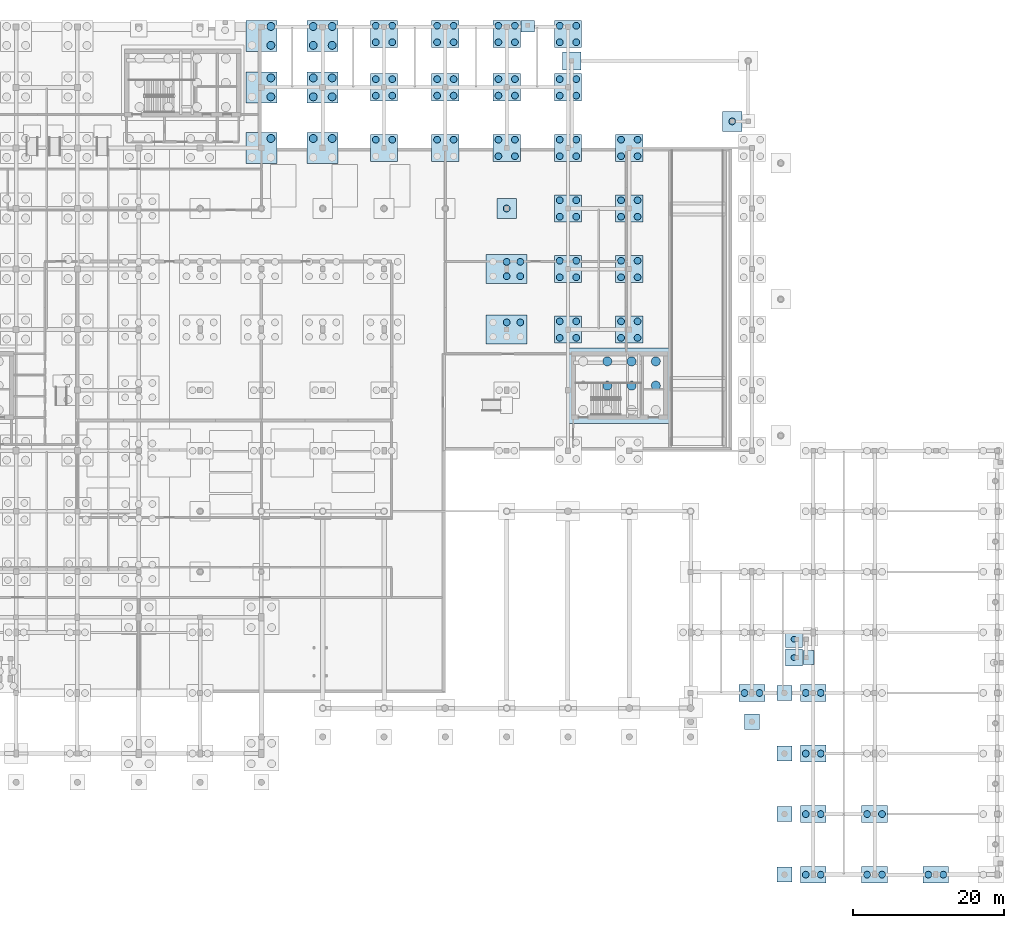
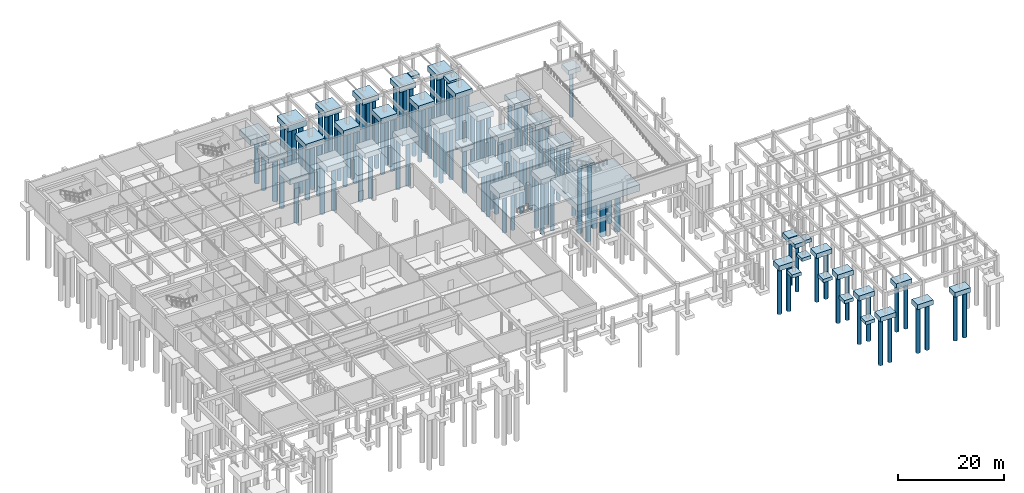
# One storey, part 5 of 25: 119 piles, 48 footings.
"""IFC4 building model written with IfcOpenShell, lengths in metres."""

from ifc_helpers import new_model, si_unit, direction, frame, origin, origin_2d, place, context, subcontext, project, spatial, polyline, rectangle, circle, outline, extrude, material, material_profile, profile_set, type_object, element, save


model = new_model("IFC4")

# Units and contexts
model_context = context("Model", 3, precision=1e-05, world=origin(), true_north=direction((0.0, 1.0)))
body_context = subcontext(model_context, "Body", "Model", "MODEL_VIEW")
ifc_project = project(units=[si_unit("LENGTHUNIT", "METRE"), si_unit("AREAUNIT", "SQUARE_METRE"), si_unit("VOLUMEUNIT", "CUBIC_METRE"), si_unit("PLANEANGLEUNIT", "RADIAN"), si_unit("MASSUNIT", "GRAM", prefix="KILO")], contexts=[model_context])

# Site, building, storey
site_placement = place(None, origin())
site = spatial("IfcSite", under=ifc_project, at=site_placement, CompositionType="ELEMENT")
building_placement = place(site_placement, origin())
building = spatial("IfcBuilding", under=site, at=building_placement, Name="Tarnveldt Square Police Headquarters", CompositionType="ELEMENT")
storey_placement = place(building_placement, frame((0.0, 0.0, -4.800048828125)))
storey = spatial("IfcBuildingStorey", under=building, at=storey_placement, Name="B1", CompositionType="ELEMENT", Elevation=-4.800048828125)

# Footings
ifc_material_1 = material(Name="Concrete 45 MPa", Category="concrete")
footing_type_1 = type_object("IfcFootingType", Name="CAP-PC1", PredefinedType="PILE_CAP", material=ifc_material_1)
for number, where, z_axis, x_axis, name in (
    (1, (135.14990234375, 28.679931640625, -1.0), (0.0, 0.0, 1.0), (1.0, 0.0, 0.0), "Caisson Pile Cap 146"),
    (2, (135.14990234375, 31.10009765625, -1.0), (0.0, 0.0, 1.0), (1.0, 0.0, 0.0), "Caisson Pile Cap 147"),
):
    element("IfcFooting", number, at=place(storey_placement, frame(where, z_axis=z_axis, x_axis=x_axis)), inside=storey, type_object=footing_type_1, Name=name, PredefinedType="PILE_CAP", context=body_context, shape_type="SweptSolid", body=[
        extrude(rectangle(XDim=2.199951171875, YDim=2.199951171875, at=origin_2d()), origin(), (0.0, 0.0, 1.0), 1.0),
    ])
footing_type_2 = type_object("IfcFootingType", Name="CAP-PC2", PredefinedType="PILE_CAP", material=ifc_material_1)
for number, where, z_axis, x_axis, name in (
    (3, (129.60009765625, 24.0, -1.10009765625), (0.0, 0.0, 1.0), (1.0, 0.0, 0.0), "Caisson Pile Cap 134"),
    (4, (137.699951171875, 0.0, -1.10009765625), (0.0, 0.0, 1.0), (1.0, 0.0, 0.0), "Caisson Pile Cap 148"),
    (5, (137.699951171875, 8.0, -1.10009765625), (0.0, 0.0, 1.0), (1.0, 0.0, 0.0), "Caisson Pile Cap 149"),
    (6, (137.699951171875, 16.0, -1.10009765625), (0.0, 0.0, 1.0), (1.0, 0.0, 0.0), "Caisson Pile Cap 150"),
    (7, (137.699951171875, 24.0, -1.10009765625), (0.0, 0.0, 1.0), (1.0, 0.0, 0.0), "Caisson Pile Cap 151"),
    (8, (145.800048828125, 0.0, -1.10009765625), (0.0, 0.0, 1.0), (1.0, 0.0, 0.0), "Caisson Pile Cap 155"),
    (9, (145.800048828125, 8.0, -1.10009765625), (0.0, 0.0, 1.0), (1.0, 0.0, 0.0), "Caisson Pile Cap 156"),
    (10, (153.89990234375, 0.0, -1.10009765625), (0.0, 0.0, 1.0), (1.0, 0.0, 0.0), "Caisson Pile Cap 163"),
):
    element("IfcFooting", number, at=place(storey_placement, frame(where, z_axis=z_axis, x_axis=x_axis)), inside=storey, type_object=footing_type_2, Name=name, PredefinedType="PILE_CAP", context=body_context, shape_type="SweptSolid", body=[
        extrude(rectangle(XDim=3.39990234375, YDim=2.199951171875, at=origin_2d()), origin(), (0.0, 0.0, 1.0), 1.10009765625),
    ])
footing_type_3 = type_object("IfcFootingType", Name="CAP-PC3", PredefinedType="PILE_CAP", material=ifc_material_1)
for number, where, z_axis, x_axis, name in (
    (11, (81.0, 96.0, -1.52001953125), (0.0, 0.0, 1.0), (1.0, 0.0, 0.0), "Caisson Pile Cap 99"),
    (12, (81.0, 104.0, -1.19970703125), (0.0, 0.0, 1.0), (1.0, 0.0, 0.0), "Caisson Pile Cap 100"),
    (13, (81.0, 111.050048828125, -1.19970703125), (0.0, 0.0, 1.0), (1.0, 0.0, 0.0), "Caisson Pile Cap 101"),
    (14, (89.10009765625, 96.0, -1.52001953125), (0.0, 0.0, 1.0), (1.0, 0.0, 0.0), "Caisson Pile Cap 103"),
    (15, (89.10009765625, 104.0, -1.19970703125), (0.0, 0.0, 1.0), (1.0, 0.0, 0.0), "Caisson Pile Cap 104"),
    (16, (89.10009765625, 111.050048828125, -1.19970703125), (0.0, 0.0, 1.0), (1.0, 0.0, 0.0), "Caisson Pile Cap 105"),
    (17, (97.199951171875, 96.0, -1.52001953125), (0.0, 0.0, 1.0), (1.0, 0.0, 0.0), "Caisson Pile Cap 113"),
    (18, (97.199951171875, 104.0, -1.19970703125), (0.0, 0.0, 1.0), (1.0, 0.0, 0.0), "Caisson Pile Cap 114"),
    (19, (97.199951171875, 111.050048828125, -1.19970703125), (0.0, 0.0, 1.0), (1.0, 0.0, 0.0), "Caisson Pile Cap 115"),
    (20, (105.300048828125, 72.0, -1.52001953125), (0.0, 0.0, 1.0), (1.0, 0.0, 0.0), "Caisson Pile Cap 118"),
    (21, (105.300048828125, 80.0, -1.52001953125), (0.0, 0.0, 1.0), (1.0, 0.0, 0.0), "Caisson Pile Cap 119"),
    (22, (105.300048828125, 88.0, -1.52001953125), (0.0, 0.0, 1.0), (1.0, 0.0, 0.0), "Caisson Pile Cap 120"),
    (23, (105.300048828125, 96.0, -1.52001953125), (0.0, 0.0, 1.0), (1.0, 0.0, 0.0), "Caisson Pile Cap 121"),
    (24, (105.300048828125, 104.0, -1.19970703125), (0.0, 0.0, 1.0), (1.0, 0.0, 0.0), "Caisson Pile Cap 122"),
    (25, (105.300048828125, 111.050048828125, -1.19970703125), (0.0, 0.0, 1.0), (1.0, 0.0, 0.0), "Caisson Pile Cap 123"),
    (26, (113.39990234375, 72.0, -1.52001953125), (0.0, 0.0, 1.0), (1.0, 0.0, 0.0), "Caisson Pile Cap 126"),
    (27, (113.39990234375, 80.0, -1.52001953125), (0.0, 0.0, 1.0), (1.0, 0.0, 0.0), "Caisson Pile Cap 127"),
    (28, (113.39990234375, 88.0, -1.52001953125), (0.0, 0.0, 1.0), (1.0, 0.0, 0.0), "Caisson Pile Cap 128"),
    (29, (113.39990234375, 96.0, -1.52001953125), (0.0, 0.0, 1.0), (1.0, 0.0, 0.0), "Caisson Pile Cap 129"),
):
    element("IfcFooting", number, at=place(storey_placement, frame(where, z_axis=z_axis, x_axis=x_axis)), inside=storey, type_object=footing_type_3, Name=name, PredefinedType="PILE_CAP", context=body_context, shape_type="SweptSolid", body=[
        extrude(rectangle(XDim=3.60009765625, YDim=3.60009765625, at=origin_2d()), origin(), (0.0, 0.0, 1.0), 1.199951171875),
    ])
footing_type_4 = type_object("IfcFootingType", Name="CAP-PC4", PredefinedType="PILE_CAP", material=ifc_material_1)
for number, where, z_axis, x_axis, name in (
    (30, (64.800048828125, 96.0, -1.6201171875), (0.0, 0.0, 1.0), (1.0, 0.0, 0.0), "Caisson Pile Cap 79"),
    (31, (64.800048828125, 104.0, -1.6201171875), (0.0, 0.0, 1.0), (1.0, 0.0, 0.0), "Caisson Pile Cap 80"),
    (32, (64.800048828125, 110.800048828125, -1.6201171875), (0.0, 0.0, 1.0), (1.0, 0.0, 0.0), "Caisson Pile Cap 81"),
    (33, (72.89990234375, 96.0, -1.6201171875), (0.0, 0.0, 1.0), (1.0, 0.0, 0.0), "Caisson Pile Cap 89"),
    (34, (72.89990234375, 104.0, -1.2998046875), (0.0, 0.0, 1.0), (1.0, 0.0, 0.0), "Caisson Pile Cap 90"),
    (35, (72.89990234375, 110.800048828125, -1.2998046875), (0.0, 0.0, 1.0), (1.0, 0.0, 0.0), "Caisson Pile Cap 91"),
):
    element("IfcFooting", number, at=place(storey_placement, frame(where, z_axis=z_axis, x_axis=x_axis)), inside=storey, type_object=footing_type_4, Name=name, PredefinedType="PILE_CAP", context=body_context, shape_type="SweptSolid", body=[
        extrude(rectangle(XDim=4.10009765625, YDim=4.10009765625, at=origin_2d()), origin(), (0.0, 0.0, 1.0), 1.300048828125),
    ])
footing_type_5 = type_object("IfcFootingType", Name="CAP-PC6", PredefinedType="PILE_CAP", material=ifc_material_1)
for number, where, z_axis, x_axis, name in (
    (36, (97.199951171875, 72.0, -1.669921875), (0.0, 0.0, 1.0), (1.0, 0.0, 0.0), "Caisson Pile Cap 110"),
    (37, (97.199951171875, 80.0, -1.669921875), (0.0, 0.0, 1.0), (1.0, 0.0, 0.0), "Caisson Pile Cap 111"),
):
    element("IfcFooting", number, at=place(storey_placement, frame(where, z_axis=z_axis, x_axis=x_axis)), inside=storey, type_object=footing_type_5, Name=name, PredefinedType="PILE_CAP", context=body_context, shape_type="SweptSolid", body=[
        extrude(rectangle(XDim=5.39990234375, YDim=3.800048828125, at=origin_2d()), origin(), (0.0, 0.0, 1.0), 1.35009765625),
    ])
footing_type_6 = type_object("IfcFootingType", Name="CAP-PC8", PredefinedType="PILE_CAP", material=ifc_material_1)
footing_1_placement = place(storey_placement, frame((112.10009765625, 64.60009765625, -1.820068359375), z_axis=(0.0, 0.0, 1.0), x_axis=(1.0, 0.0, 0.0)))
element("IfcFooting", 38, at=footing_1_placement, inside=storey, type_object=footing_type_6, Name="Core K4 East Custody and Tactical Core Mat Pile Cap", PredefinedType="PILE_CAP", context=body_context, shape_type="SweptSolid", body=[
    extrude(rectangle(XDim=13.60009765625, YDim=10.0, at=origin_2d()), origin(), (0.0, 0.0, 1.0), 1.5),
])
footing_type_7 = type_object("IfcFootingType", Name="CAP-PC9", PredefinedType="PILE_CAP", material=ifc_material_1)
for number, where, z_axis, x_axis, name in (
    (39, (97.199951171875, 88.0, -1.3701171875), (0.0, 0.0, 1.0), (1.0, 0.0, 0.0), "Caisson Pile Cap 112"),
    (40, (127.0, 99.5, -1.0498046875), (0.0, 0.0, 1.0), (1.0, 0.0, 0.0), "Caisson Pile Cap 132"),
):
    element("IfcFooting", number, at=place(storey_placement, frame(where, z_axis=z_axis, x_axis=x_axis)), inside=storey, type_object=footing_type_7, Name=name, PredefinedType="PILE_CAP", context=body_context, shape_type="SweptSolid", body=[
        extrude(rectangle(XDim=2.60009765625, YDim=2.60009765625, at=origin_2d()), origin(), (0.0, 0.0, 1.0), 1.050048828125),
    ])
ifc_material_2 = material(Name="Concrete 40 MPa", Category="concrete")
footing_type_8 = type_object("IfcFootingType", Name="PAD-PF1", PredefinedType="PAD_FOOTING", material=ifc_material_2)
footing_2_placement = place(storey_placement, frame((105.800048828125, 107.5, -0.85009765625), z_axis=(0.0, 0.0, 1.0), x_axis=(1.0, 0.0, 0.0)))
element("IfcFooting", 41, at=footing_2_placement, inside=storey, type_object=footing_type_8, Name="Spread Pad Footing 10", PredefinedType="PAD_FOOTING", context=body_context, shape_type="SweptSolid", body=[
    extrude(rectangle(XDim=2.39990234375, YDim=2.39990234375, at=origin_2d()), origin(), (0.0, 0.0, 1.0), 0.85009765625),
])
footing_type_9 = type_object("IfcFootingType", Name="PAD-PF4", PredefinedType="PAD_FOOTING", material=ifc_material_2)
footing_3_placement = place(storey_placement, frame((0.0, 0.0, -0.75)))
element("IfcFooting", 42, at=footing_3_placement, inside=storey, type_object=footing_type_9, Name="Spread Pad Footing 8", PredefinedType="PAD_FOOTING", context=body_context, shape_type="SweptSolid", body=[
    extrude(outline(polyline([(99.10009765625, 111.300048828125), (100.89990234375, 111.300048828125), (100.89990234375, 112.85009765625), (99.10009765625, 112.85009765625), (99.10009765625, 111.300048828125)])), origin(), (0.0, 0.0, 1.0), 0.75),
])
footing_4_placement = place(storey_placement, frame((0.0, 0.0, -0.75)))
element("IfcFooting", 43, at=footing_4_placement, inside=storey, type_object=footing_type_9, Name="Spread Pad Footing 16", PredefinedType="PAD_FOOTING", context=body_context, shape_type="SweptSolid", body=[
    extrude(outline(polyline([(136.320068359375, 27.780029296875), (137.800048828125, 27.780029296875), (137.800048828125, 29.580078125), (136.320068359375, 29.580078125), (136.320068359375, 27.780029296875)])), origin(), (0.0, 0.0, 1.0), 0.75),
])
for number, where, z_axis, x_axis, name in (
    (44, (129.60009765625, 20.199951171875, -0.75), (0.0, 0.0, 1.0), (1.0, 0.0, 0.0), "Colonnade Pier Footing 17"),
    (45, (133.89990234375, 0.0, -0.75), (0.0, 0.0, 1.0), (1.0, 0.0, 0.0), "Colonnade Pier Footing 18"),
    (46, (133.89990234375, 8.0, -0.75), (0.0, 0.0, 1.0), (1.0, 0.0, 0.0), "Colonnade Pier Footing 19"),
    (47, (133.89990234375, 16.0, -0.75), (0.0, 0.0, 1.0), (1.0, 0.0, 0.0), "Colonnade Pier Footing 20"),
    (48, (133.89990234375, 24.0, -0.75), (0.0, 0.0, 1.0), (1.0, 0.0, 0.0), "Colonnade Pier Footing 21"),
):
    element("IfcFooting", number, at=place(storey_placement, frame(where, z_axis=z_axis, x_axis=x_axis)), inside=storey, type_object=footing_type_9, Name=name, PredefinedType="PAD_FOOTING", context=body_context, shape_type="SweptSolid", body=[
        extrude(rectangle(XDim=2.0, YDim=2.0, at=origin_2d()), origin(), (0.0, 0.0, 1.0), 0.75),
    ])

# Piles
ifc_material_profile_1 = material_profile(ifc_material_1, circle(Radius=0.375, at=origin_2d()), Name="CAISSON-D750")
ifc_profile_set_1 = profile_set([ifc_material_profile_1], Name="Concrete 45 MPa")
pile_type_1 = type_object("IfcPileType", Name="PILE-CA1", PredefinedType="BORED", material=ifc_profile_set_1)
for number, where, z_axis, x_axis, name in (
    (49, (135.14990234375, 28.679931640625, -0.89990234375), (0.0, 0.0, -1.0), (1.0, 0.0, 0.0), "Bored Caisson C146.1"),
    (50, (135.14990234375, 31.10009765625, -0.89990234375), (0.0, 0.0, -1.0), (1.0, 0.0, 0.0), "Bored Caisson C147.1"),
):
    element("IfcPile", number, at=place(storey_placement, frame(where, z_axis=z_axis, x_axis=x_axis)), inside=storey, type_object=pile_type_1, Name=name, PredefinedType="BORED", context=body_context, shape_type="SweptSolid", body=[
        extrude(circle(Radius=0.375, at=origin_2d()), origin(), (0.0, 0.0, 1.0), 10.800048828125),
    ])
ifc_material_profile_2 = material_profile(ifc_material_1, circle(Radius=0.449951171875, at=origin_2d()), Name="CAISSON-D900")
ifc_profile_set_2 = profile_set([ifc_material_profile_2], Name="Concrete 45 MPa")
pile_type_2 = type_object("IfcPileType", Name="PILE-CA2", PredefinedType="BORED", material=ifc_profile_set_2)
for number, where, z_axis, x_axis, name in (
    (51, (79.909912109375, 97.090087890625, -1.419921875), (0.0, 0.0, -1.0), (1.0, 0.0, 0.0), "Bored Caisson C99.2"),
    (52, (82.090087890625, 97.090087890625, -1.419921875), (0.0, 0.0, -1.0), (1.0, 0.0, 0.0), "Bored Caisson C99.4"),
):
    element("IfcPile", number, at=place(storey_placement, frame(where, z_axis=z_axis, x_axis=x_axis)), inside=storey, type_object=pile_type_2, Name=name, PredefinedType="BORED", context=body_context, shape_type="SweptSolid", body=[
        extrude(circle(Radius=0.449951171875, at=origin_2d()), origin(), (0.0, 0.0, 1.0), 11.780029296875),
    ])
for number, where, z_axis, x_axis, name in (
    (53, (79.909912109375, 102.909912109375, -1.099853515625), (0.0, 0.0, -1.0), (1.0, 0.0, 0.0), "Bored Caisson C100.1"),
    (54, (79.909912109375, 105.090087890625, -1.099853515625), (0.0, 0.0, -1.0), (1.0, 0.0, 0.0), "Bored Caisson C100.2"),
    (55, (82.090087890625, 102.909912109375, -1.099853515625), (0.0, 0.0, -1.0), (1.0, 0.0, 0.0), "Bored Caisson C100.3"),
    (56, (82.090087890625, 105.090087890625, -1.099853515625), (0.0, 0.0, -1.0), (1.0, 0.0, 0.0), "Bored Caisson C100.4"),
    (57, (79.909912109375, 109.9599609375, -1.099853515625), (0.0, 0.0, -1.0), (1.0, 0.0, 0.0), "Bored Caisson C101.1"),
    (58, (79.909912109375, 112.139892578125, -1.099853515625), (0.0, 0.0, -1.0), (1.0, 0.0, 0.0), "Bored Caisson C101.2"),
    (59, (82.090087890625, 109.9599609375, -1.099853515625), (0.0, 0.0, -1.0), (1.0, 0.0, 0.0), "Bored Caisson C101.3"),
    (60, (82.090087890625, 112.139892578125, -1.099853515625), (0.0, 0.0, -1.0), (1.0, 0.0, 0.0), "Bored Caisson C101.4"),
):
    element("IfcPile", number, at=place(storey_placement, frame(where, z_axis=z_axis, x_axis=x_axis)), inside=storey, type_object=pile_type_2, Name=name, PredefinedType="BORED", context=body_context, shape_type="SweptSolid", body=[
        extrude(circle(Radius=0.449951171875, at=origin_2d()), origin(), (0.0, 0.0, 1.0), 12.10009765625),
    ])
for number, where, z_axis, x_axis, name in (
    (61, (88.010009765625, 97.090087890625, -1.419921875), (0.0, 0.0, -1.0), (1.0, 0.0, 0.0), "Bored Caisson C103.2"),
    (62, (90.18994140625, 97.090087890625, -1.419921875), (0.0, 0.0, -1.0), (1.0, 0.0, 0.0), "Bored Caisson C103.4"),
):
    element("IfcPile", number, at=place(storey_placement, frame(where, z_axis=z_axis, x_axis=x_axis)), inside=storey, type_object=pile_type_2, Name=name, PredefinedType="BORED", context=body_context, shape_type="SweptSolid", body=[
        extrude(circle(Radius=0.449951171875, at=origin_2d()), origin(), (0.0, 0.0, 1.0), 11.780029296875),
    ])
for number, where, z_axis, x_axis, name in (
    (63, (88.010009765625, 102.909912109375, -1.099853515625), (0.0, 0.0, -1.0), (1.0, 0.0, 0.0), "Bored Caisson C104.1"),
    (64, (88.010009765625, 105.090087890625, -1.099853515625), (0.0, 0.0, -1.0), (1.0, 0.0, 0.0), "Bored Caisson C104.2"),
    (65, (90.18994140625, 102.909912109375, -1.099853515625), (0.0, 0.0, -1.0), (1.0, 0.0, 0.0), "Bored Caisson C104.3"),
    (66, (90.18994140625, 105.090087890625, -1.099853515625), (0.0, 0.0, -1.0), (1.0, 0.0, 0.0), "Bored Caisson C104.4"),
    (67, (88.010009765625, 109.9599609375, -1.099853515625), (0.0, 0.0, -1.0), (1.0, 0.0, 0.0), "Bored Caisson C105.1"),
    (68, (88.010009765625, 112.139892578125, -1.099853515625), (0.0, 0.0, -1.0), (1.0, 0.0, 0.0), "Bored Caisson C105.2"),
    (69, (90.18994140625, 109.9599609375, -1.099853515625), (0.0, 0.0, -1.0), (1.0, 0.0, 0.0), "Bored Caisson C105.3"),
    (70, (90.18994140625, 112.139892578125, -1.099853515625), (0.0, 0.0, -1.0), (1.0, 0.0, 0.0), "Bored Caisson C105.4"),
):
    element("IfcPile", number, at=place(storey_placement, frame(where, z_axis=z_axis, x_axis=x_axis)), inside=storey, type_object=pile_type_2, Name=name, PredefinedType="BORED", context=body_context, shape_type="SweptSolid", body=[
        extrude(circle(Radius=0.449951171875, at=origin_2d()), origin(), (0.0, 0.0, 1.0), 12.10009765625),
    ])
for number, where, z_axis, x_axis, name in (
    (71, (97.199951171875, 72.949951171875, -1.570068359375), (0.0, 0.0, -1.0), (1.0, 0.0, 0.0), "Bored Caisson C110.5"),
    (72, (99.0, 72.949951171875, -1.570068359375), (0.0, 0.0, -1.0), (1.0, 0.0, 0.0), "Bored Caisson C110.6"),
    (73, (97.199951171875, 79.050048828125, -1.570068359375), (0.0, 0.0, -1.0), (1.0, 0.0, 0.0), "Bored Caisson C111.2"),
    (74, (99.0, 79.050048828125, -1.570068359375), (0.0, 0.0, -1.0), (1.0, 0.0, 0.0), "Bored Caisson C111.3"),
    (75, (97.199951171875, 80.949951171875, -1.570068359375), (0.0, 0.0, -1.0), (1.0, 0.0, 0.0), "Bored Caisson C111.5"),
    (76, (99.0, 80.949951171875, -1.570068359375), (0.0, 0.0, -1.0), (1.0, 0.0, 0.0), "Bored Caisson C111.6"),
):
    element("IfcPile", number, at=place(storey_placement, frame(where, z_axis=z_axis, x_axis=x_axis)), inside=storey, type_object=pile_type_2, Name=name, PredefinedType="BORED", context=body_context, shape_type="SweptSolid", body=[
        extrude(circle(Radius=0.449951171875, at=origin_2d()), origin(), (0.0, 0.0, 1.0), 10.1298828125),
    ])
pile_1_placement = place(storey_placement, frame((97.199951171875, 88.0, -1.27001953125), z_axis=(0.0, 0.0, -1.0), x_axis=(1.0, 0.0, 0.0)))
element("IfcPile", 77, at=pile_1_placement, inside=storey, type_object=pile_type_2, Name="Bored Caisson C112.1", PredefinedType="BORED", context=body_context, shape_type="SweptSolid", body=[
    extrude(circle(Radius=0.449951171875, at=origin_2d()), origin(), (0.0, 0.0, 1.0), 10.429931640625),
])
for number, where, z_axis, x_axis, name in (
    (78, (96.110107421875, 94.909912109375, -1.419921875), (0.0, 0.0, -1.0), (1.0, 0.0, 0.0), "Bored Caisson C113.1"),
    (79, (96.110107421875, 97.090087890625, -1.419921875), (0.0, 0.0, -1.0), (1.0, 0.0, 0.0), "Bored Caisson C113.2"),
    (80, (98.2900390625, 94.909912109375, -1.419921875), (0.0, 0.0, -1.0), (1.0, 0.0, 0.0), "Bored Caisson C113.3"),
    (81, (98.2900390625, 97.090087890625, -1.419921875), (0.0, 0.0, -1.0), (1.0, 0.0, 0.0), "Bored Caisson C113.4"),
):
    element("IfcPile", number, at=place(storey_placement, frame(where, z_axis=z_axis, x_axis=x_axis)), inside=storey, type_object=pile_type_2, Name=name, PredefinedType="BORED", context=body_context, shape_type="SweptSolid", body=[
        extrude(circle(Radius=0.449951171875, at=origin_2d()), origin(), (0.0, 0.0, 1.0), 11.780029296875),
    ])
for number, where, z_axis, x_axis, name in (
    (82, (96.110107421875, 102.909912109375, -1.099853515625), (0.0, 0.0, -1.0), (1.0, 0.0, 0.0), "Bored Caisson C114.1"),
    (83, (96.110107421875, 105.090087890625, -1.099853515625), (0.0, 0.0, -1.0), (1.0, 0.0, 0.0), "Bored Caisson C114.2"),
    (84, (98.2900390625, 102.909912109375, -1.099853515625), (0.0, 0.0, -1.0), (1.0, 0.0, 0.0), "Bored Caisson C114.3"),
    (85, (98.2900390625, 105.090087890625, -1.099853515625), (0.0, 0.0, -1.0), (1.0, 0.0, 0.0), "Bored Caisson C114.4"),
    (86, (96.110107421875, 109.9599609375, -1.099853515625), (0.0, 0.0, -1.0), (1.0, 0.0, 0.0), "Bored Caisson C115.1"),
    (87, (96.110107421875, 112.139892578125, -1.099853515625), (0.0, 0.0, -1.0), (1.0, 0.0, 0.0), "Bored Caisson C115.2"),
    (88, (98.2900390625, 109.9599609375, -1.099853515625), (0.0, 0.0, -1.0), (1.0, 0.0, 0.0), "Bored Caisson C115.3"),
    (89, (98.2900390625, 112.139892578125, -1.099853515625), (0.0, 0.0, -1.0), (1.0, 0.0, 0.0), "Bored Caisson C115.4"),
):
    element("IfcPile", number, at=place(storey_placement, frame(where, z_axis=z_axis, x_axis=x_axis)), inside=storey, type_object=pile_type_2, Name=name, PredefinedType="BORED", context=body_context, shape_type="SweptSolid", body=[
        extrude(circle(Radius=0.449951171875, at=origin_2d()), origin(), (0.0, 0.0, 1.0), 12.10009765625),
    ])
for number, where, z_axis, x_axis, name in (
    (90, (104.2099609375, 70.909912109375, -1.419921875), (0.0, 0.0, -1.0), (1.0, 0.0, 0.0), "Bored Caisson C118.1"),
    (91, (104.2099609375, 73.090087890625, -1.419921875), (0.0, 0.0, -1.0), (1.0, 0.0, 0.0), "Bored Caisson C118.2"),
    (92, (106.389892578125, 70.909912109375, -1.419921875), (0.0, 0.0, -1.0), (1.0, 0.0, 0.0), "Bored Caisson C118.3"),
    (93, (106.389892578125, 73.090087890625, -1.419921875), (0.0, 0.0, -1.0), (1.0, 0.0, 0.0), "Bored Caisson C118.4"),
    (94, (104.2099609375, 78.909912109375, -1.419921875), (0.0, 0.0, -1.0), (1.0, 0.0, 0.0), "Bored Caisson C119.1"),
    (95, (104.2099609375, 81.090087890625, -1.419921875), (0.0, 0.0, -1.0), (1.0, 0.0, 0.0), "Bored Caisson C119.2"),
    (96, (106.389892578125, 78.909912109375, -1.419921875), (0.0, 0.0, -1.0), (1.0, 0.0, 0.0), "Bored Caisson C119.3"),
    (97, (106.389892578125, 81.090087890625, -1.419921875), (0.0, 0.0, -1.0), (1.0, 0.0, 0.0), "Bored Caisson C119.4"),
    (98, (104.2099609375, 86.909912109375, -1.419921875), (0.0, 0.0, -1.0), (1.0, 0.0, 0.0), "Bored Caisson C120.1"),
    (99, (104.2099609375, 89.090087890625, -1.419921875), (0.0, 0.0, -1.0), (1.0, 0.0, 0.0), "Bored Caisson C120.2"),
    (100, (106.389892578125, 86.909912109375, -1.419921875), (0.0, 0.0, -1.0), (1.0, 0.0, 0.0), "Bored Caisson C120.3"),
    (101, (106.389892578125, 89.090087890625, -1.419921875), (0.0, 0.0, -1.0), (1.0, 0.0, 0.0), "Bored Caisson C120.4"),
    (102, (104.2099609375, 94.909912109375, -1.419921875), (0.0, 0.0, -1.0), (1.0, 0.0, 0.0), "Bored Caisson C121.1"),
    (103, (104.2099609375, 97.090087890625, -1.419921875), (0.0, 0.0, -1.0), (1.0, 0.0, 0.0), "Bored Caisson C121.2"),
    (104, (106.389892578125, 94.909912109375, -1.419921875), (0.0, 0.0, -1.0), (1.0, 0.0, 0.0), "Bored Caisson C121.3"),
    (105, (106.389892578125, 97.090087890625, -1.419921875), (0.0, 0.0, -1.0), (1.0, 0.0, 0.0), "Bored Caisson C121.4"),
):
    element("IfcPile", number, at=place(storey_placement, frame(where, z_axis=z_axis, x_axis=x_axis)), inside=storey, type_object=pile_type_2, Name=name, PredefinedType="BORED", context=body_context, shape_type="SweptSolid", body=[
        extrude(circle(Radius=0.449951171875, at=origin_2d()), origin(), (0.0, 0.0, 1.0), 11.780029296875),
    ])
for number, where, z_axis, x_axis, name in (
    (106, (104.2099609375, 102.909912109375, -1.099853515625), (0.0, 0.0, -1.0), (1.0, 0.0, 0.0), "Bored Caisson C122.1"),
    (107, (104.2099609375, 105.090087890625, -1.099853515625), (0.0, 0.0, -1.0), (1.0, 0.0, 0.0), "Bored Caisson C122.2"),
    (108, (106.389892578125, 102.909912109375, -1.099853515625), (0.0, 0.0, -1.0), (1.0, 0.0, 0.0), "Bored Caisson C122.3"),
    (109, (106.389892578125, 105.090087890625, -1.099853515625), (0.0, 0.0, -1.0), (1.0, 0.0, 0.0), "Bored Caisson C122.4"),
    (110, (104.2099609375, 109.9599609375, -1.099853515625), (0.0, 0.0, -1.0), (1.0, 0.0, 0.0), "Bored Caisson C123.1"),
    (111, (104.2099609375, 112.139892578125, -1.099853515625), (0.0, 0.0, -1.0), (1.0, 0.0, 0.0), "Bored Caisson C123.2"),
    (112, (106.389892578125, 109.9599609375, -1.099853515625), (0.0, 0.0, -1.0), (1.0, 0.0, 0.0), "Bored Caisson C123.3"),
    (113, (106.389892578125, 112.139892578125, -1.099853515625), (0.0, 0.0, -1.0), (1.0, 0.0, 0.0), "Bored Caisson C123.4"),
):
    element("IfcPile", number, at=place(storey_placement, frame(where, z_axis=z_axis, x_axis=x_axis)), inside=storey, type_object=pile_type_2, Name=name, PredefinedType="BORED", context=body_context, shape_type="SweptSolid", body=[
        extrude(circle(Radius=0.449951171875, at=origin_2d()), origin(), (0.0, 0.0, 1.0), 12.10009765625),
    ])
for number, where, z_axis, x_axis, name in (
    (114, (112.31005859375, 70.909912109375, -1.419921875), (0.0, 0.0, -1.0), (1.0, 0.0, 0.0), "Bored Caisson C126.1"),
    (115, (112.31005859375, 73.090087890625, -1.419921875), (0.0, 0.0, -1.0), (1.0, 0.0, 0.0), "Bored Caisson C126.2"),
    (116, (114.489990234375, 70.909912109375, -1.419921875), (0.0, 0.0, -1.0), (1.0, 0.0, 0.0), "Bored Caisson C126.3"),
    (117, (114.489990234375, 73.090087890625, -1.419921875), (0.0, 0.0, -1.0), (1.0, 0.0, 0.0), "Bored Caisson C126.4"),
    (118, (112.31005859375, 78.909912109375, -1.419921875), (0.0, 0.0, -1.0), (1.0, 0.0, 0.0), "Bored Caisson C127.1"),
    (119, (112.31005859375, 81.090087890625, -1.419921875), (0.0, 0.0, -1.0), (1.0, 0.0, 0.0), "Bored Caisson C127.2"),
    (120, (114.489990234375, 78.909912109375, -1.419921875), (0.0, 0.0, -1.0), (1.0, 0.0, 0.0), "Bored Caisson C127.3"),
    (121, (114.489990234375, 81.090087890625, -1.419921875), (0.0, 0.0, -1.0), (1.0, 0.0, 0.0), "Bored Caisson C127.4"),
    (122, (112.31005859375, 86.909912109375, -1.419921875), (0.0, 0.0, -1.0), (1.0, 0.0, 0.0), "Bored Caisson C128.1"),
    (123, (112.31005859375, 89.090087890625, -1.419921875), (0.0, 0.0, -1.0), (1.0, 0.0, 0.0), "Bored Caisson C128.2"),
    (124, (114.489990234375, 86.909912109375, -1.419921875), (0.0, 0.0, -1.0), (1.0, 0.0, 0.0), "Bored Caisson C128.3"),
    (125, (114.489990234375, 89.090087890625, -1.419921875), (0.0, 0.0, -1.0), (1.0, 0.0, 0.0), "Bored Caisson C128.4"),
    (126, (112.31005859375, 94.909912109375, -1.419921875), (0.0, 0.0, -1.0), (1.0, 0.0, 0.0), "Bored Caisson C129.1"),
    (127, (112.31005859375, 97.090087890625, -1.419921875), (0.0, 0.0, -1.0), (1.0, 0.0, 0.0), "Bored Caisson C129.2"),
    (128, (114.489990234375, 94.909912109375, -1.419921875), (0.0, 0.0, -1.0), (1.0, 0.0, 0.0), "Bored Caisson C129.3"),
    (129, (114.489990234375, 97.090087890625, -1.419921875), (0.0, 0.0, -1.0), (1.0, 0.0, 0.0), "Bored Caisson C129.4"),
):
    element("IfcPile", number, at=place(storey_placement, frame(where, z_axis=z_axis, x_axis=x_axis)), inside=storey, type_object=pile_type_2, Name=name, PredefinedType="BORED", context=body_context, shape_type="SweptSolid", body=[
        extrude(circle(Radius=0.449951171875, at=origin_2d()), origin(), (0.0, 0.0, 1.0), 11.780029296875),
    ])
pile_2_placement = place(storey_placement, frame((127.0, 99.5, -0.949951171875), z_axis=(0.0, 0.0, -1.0), x_axis=(1.0, 0.0, 0.0)))
element("IfcPile", 130, at=pile_2_placement, inside=storey, type_object=pile_type_2, Name="Bored Caisson C132.1", PredefinedType="BORED", context=body_context, shape_type="SweptSolid", body=[
    extrude(circle(Radius=0.449951171875, at=origin_2d()), origin(), (0.0, 0.0, 1.0), 10.75),
])
for number, where, z_axis, x_axis, name in (
    (131, (128.610107421875, 24.0, -1.0), (0.0, 0.0, -1.0), (1.0, 0.0, 0.0), "Bored Caisson C134.1"),
    (132, (130.590087890625, 24.0, -1.0), (0.0, 0.0, -1.0), (1.0, 0.0, 0.0), "Bored Caisson C134.2"),
    (133, (136.7099609375, 0.0, -1.0), (0.0, 0.0, -1.0), (1.0, 0.0, 0.0), "Bored Caisson C148.1"),
    (134, (138.68994140625, 0.0, -1.0), (0.0, 0.0, -1.0), (1.0, 0.0, 0.0), "Bored Caisson C148.2"),
    (135, (136.7099609375, 8.0, -1.0), (0.0, 0.0, -1.0), (1.0, 0.0, 0.0), "Bored Caisson C149.1"),
    (136, (138.68994140625, 8.0, -1.0), (0.0, 0.0, -1.0), (1.0, 0.0, 0.0), "Bored Caisson C149.2"),
    (137, (136.7099609375, 16.0, -1.0), (0.0, 0.0, -1.0), (1.0, 0.0, 0.0), "Bored Caisson C150.1"),
    (138, (138.68994140625, 16.0, -1.0), (0.0, 0.0, -1.0), (1.0, 0.0, 0.0), "Bored Caisson C150.2"),
    (139, (136.7099609375, 24.0, -1.0), (0.0, 0.0, -1.0), (1.0, 0.0, 0.0), "Bored Caisson C151.1"),
    (140, (138.68994140625, 24.0, -1.0), (0.0, 0.0, -1.0), (1.0, 0.0, 0.0), "Bored Caisson C151.2"),
    (141, (144.81005859375, 0.0, -1.0), (0.0, 0.0, -1.0), (1.0, 0.0, 0.0), "Bored Caisson C155.1"),
    (142, (146.7900390625, 0.0, -1.0), (0.0, 0.0, -1.0), (1.0, 0.0, 0.0), "Bored Caisson C155.2"),
    (143, (144.81005859375, 8.0, -1.0), (0.0, 0.0, -1.0), (1.0, 0.0, 0.0), "Bored Caisson C156.1"),
    (144, (146.7900390625, 8.0, -1.0), (0.0, 0.0, -1.0), (1.0, 0.0, 0.0), "Bored Caisson C156.2"),
    (145, (152.909912109375, 0.0, -1.0), (0.0, 0.0, -1.0), (1.0, 0.0, 0.0), "Bored Caisson C163.1"),
    (146, (154.889892578125, 0.0, -1.0), (0.0, 0.0, -1.0), (1.0, 0.0, 0.0), "Bored Caisson C163.2"),
):
    element("IfcPile", number, at=place(storey_placement, frame(where, z_axis=z_axis, x_axis=x_axis)), inside=storey, type_object=pile_type_2, Name=name, PredefinedType="BORED", context=body_context, shape_type="SweptSolid", body=[
        extrude(circle(Radius=0.449951171875, at=origin_2d()), origin(), (0.0, 0.0, 1.0), 10.699951171875),
    ])
ifc_material_profile_3 = material_profile(ifc_material_1, circle(Radius=0.52490234375, at=origin_2d()), Name="CAISSON-D1050")
ifc_profile_set_3 = profile_set([ifc_material_profile_3], Name="Concrete 45 MPa")
pile_type_3 = type_object("IfcPileType", Name="PILE-CA3", PredefinedType="BORED", material=ifc_profile_set_3)
for number, where, z_axis, x_axis, name in (
    (147, (66.050048828125, 97.25, -1.52001953125), (0.0, 0.0, -1.0), (1.0, 0.0, 0.0), "Bored Caisson C79.4"),
    (148, (66.050048828125, 102.75, -1.52001953125), (0.0, 0.0, -1.0), (1.0, 0.0, 0.0), "Bored Caisson C80.3"),
    (149, (66.050048828125, 105.25, -1.52001953125), (0.0, 0.0, -1.0), (1.0, 0.0, 0.0), "Bored Caisson C80.4"),
    (150, (66.050048828125, 109.550048828125, -1.52001953125), (0.0, 0.0, -1.0), (1.0, 0.0, 0.0), "Bored Caisson C81.3"),
    (151, (66.050048828125, 112.050048828125, -1.52001953125), (0.0, 0.0, -1.0), (1.0, 0.0, 0.0), "Bored Caisson C81.4"),
    (152, (71.64990234375, 97.25, -1.52001953125), (0.0, 0.0, -1.0), (1.0, 0.0, 0.0), "Bored Caisson C89.2"),
    (153, (74.14990234375, 97.25, -1.52001953125), (0.0, 0.0, -1.0), (1.0, 0.0, 0.0), "Bored Caisson C89.4"),
):
    element("IfcPile", number, at=place(storey_placement, frame(where, z_axis=z_axis, x_axis=x_axis)), inside=storey, type_object=pile_type_3, Name=name, PredefinedType="BORED", context=body_context, shape_type="SweptSolid", body=[
        extrude(circle(Radius=0.52490234375, at=origin_2d()), origin(), (0.0, 0.0, 1.0), 11.679931640625),
    ])
for number, where, z_axis, x_axis, name in (
    (154, (71.64990234375, 102.75, -1.199951171875), (0.0, 0.0, -1.0), (1.0, 0.0, 0.0), "Bored Caisson C90.1"),
    (155, (71.64990234375, 105.25, -1.199951171875), (0.0, 0.0, -1.0), (1.0, 0.0, 0.0), "Bored Caisson C90.2"),
    (156, (74.14990234375, 102.75, -1.199951171875), (0.0, 0.0, -1.0), (1.0, 0.0, 0.0), "Bored Caisson C90.3"),
    (157, (74.14990234375, 105.25, -1.199951171875), (0.0, 0.0, -1.0), (1.0, 0.0, 0.0), "Bored Caisson C90.4"),
    (158, (71.64990234375, 109.550048828125, -1.199951171875), (0.0, 0.0, -1.0), (1.0, 0.0, 0.0), "Bored Caisson C91.1"),
    (159, (71.64990234375, 112.050048828125, -1.199951171875), (0.0, 0.0, -1.0), (1.0, 0.0, 0.0), "Bored Caisson C91.2"),
    (160, (74.14990234375, 109.550048828125, -1.199951171875), (0.0, 0.0, -1.0), (1.0, 0.0, 0.0), "Bored Caisson C91.3"),
    (161, (74.14990234375, 112.050048828125, -1.199951171875), (0.0, 0.0, -1.0), (1.0, 0.0, 0.0), "Bored Caisson C91.4"),
):
    element("IfcPile", number, at=place(storey_placement, frame(where, z_axis=z_axis, x_axis=x_axis)), inside=storey, type_object=pile_type_3, Name=name, PredefinedType="BORED", context=body_context, shape_type="SweptSolid", body=[
        extrude(circle(Radius=0.52490234375, at=origin_2d()), origin(), (0.0, 0.0, 1.0), 12.0),
    ])
ifc_material_profile_4 = material_profile(ifc_material_1, circle(Radius=0.60009765625, at=origin_2d()), Name="CAISSON-D1200")
ifc_profile_set_4 = profile_set([ifc_material_profile_4], Name="Concrete 45 MPa")
pile_type_4 = type_object("IfcPileType", Name="PILE-CA4", PredefinedType="BORED", material=ifc_profile_set_4)
for number, where, z_axis, x_axis, name in (
    (162, (110.5, 64.60009765625, -1.719970703125), (0.0, 0.0, -1.0), (1.0, 0.0, 0.0), "K4 Rock-Socketed Caisson 5"),
    (163, (110.5, 67.800048828125, -1.719970703125), (0.0, 0.0, -1.0), (1.0, 0.0, 0.0), "K4 Rock-Socketed Caisson 6"),
    (164, (113.699951171875, 64.60009765625, -1.719970703125), (0.0, 0.0, -1.0), (1.0, 0.0, 0.0), "K4 Rock-Socketed Caisson 8"),
    (165, (113.699951171875, 67.800048828125, -1.719970703125), (0.0, 0.0, -1.0), (1.0, 0.0, 0.0), "K4 Rock-Socketed Caisson 9"),
    (166, (116.89990234375, 64.60009765625, -1.719970703125), (0.0, 0.0, -1.0), (1.0, 0.0, 0.0), "K4 Rock-Socketed Caisson 11"),
    (167, (116.89990234375, 67.800048828125, -1.719970703125), (0.0, 0.0, -1.0), (1.0, 0.0, 0.0), "K4 Rock-Socketed Caisson 12"),
):
    element("IfcPile", number, at=place(storey_placement, frame(where, z_axis=z_axis, x_axis=x_axis)), inside=storey, type_object=pile_type_4, Name=name, PredefinedType="BORED", context=body_context, shape_type="SweptSolid", body=[
        extrude(circle(Radius=0.60009765625, at=origin_2d()), origin(), (0.0, 0.0, 1.0), 11.47998046875),
    ])

save(model, "model.ifc")
